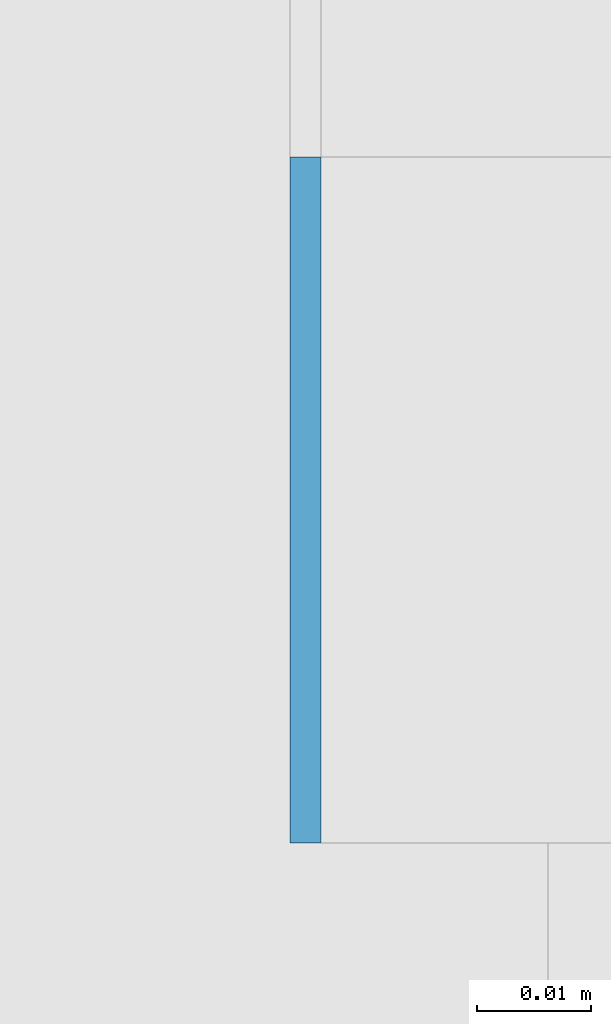
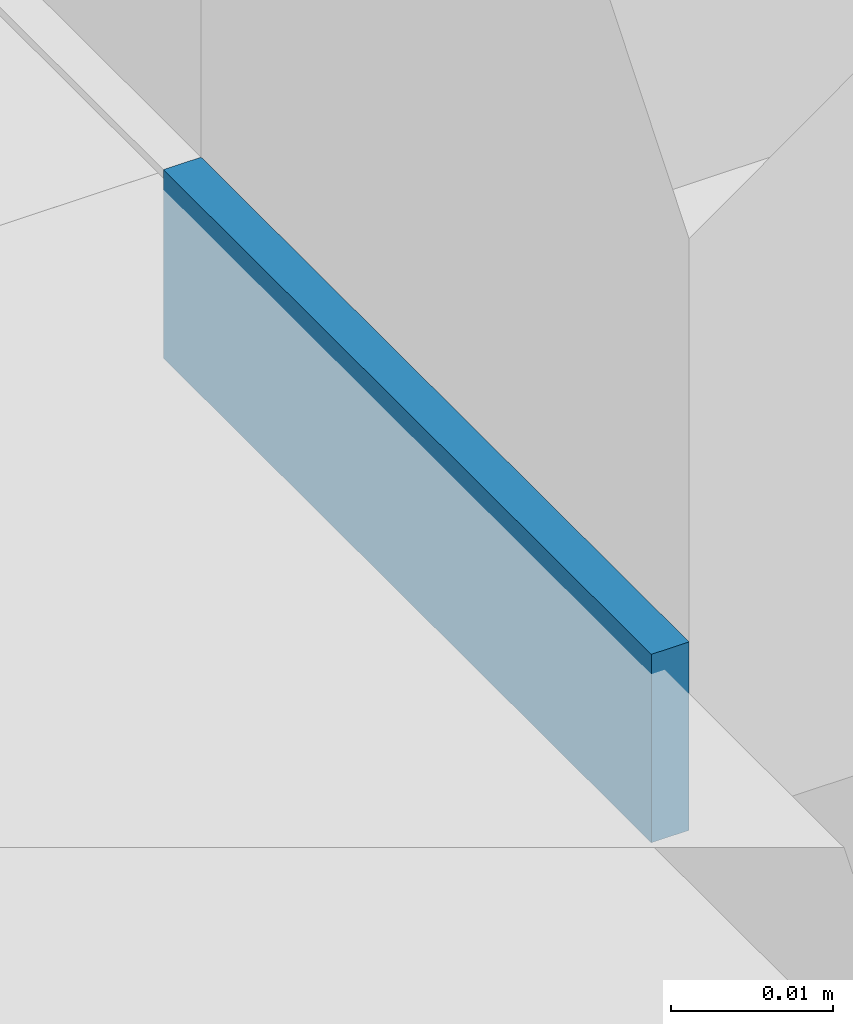
# One storey, part 572 of 646: 1 discrete accessory.
"""IFC4 building model written with IfcOpenShell, lengths in metres."""

from ifc_helpers import new_model, si_unit, direction, frame, origin, origin_2d, place, context, subcontext, project, spatial, rectangle, extrude, material, type_object, element, save


model = new_model("IFC4")

# Units and contexts
model_context = context("Model", 3, precision=1e-05, world=origin(), true_north=direction((0.0, 1.0)))
body_context = subcontext(model_context, "Body", "Model", "MODEL_VIEW")
ifc_project = project(units=[si_unit("LENGTHUNIT", "METRE"), si_unit("AREAUNIT", "SQUARE_METRE"), si_unit("VOLUMEUNIT", "CUBIC_METRE"), si_unit("PLANEANGLEUNIT", "RADIAN"), si_unit("MASSUNIT", "GRAM", prefix="KILO")], contexts=[model_context])

# Site, building, storey
site_placement = place(None, origin())
site = spatial("IfcSite", under=ifc_project, at=site_placement, CompositionType="ELEMENT")
building_placement = place(site_placement, origin())
building = spatial("IfcBuilding", under=site, at=building_placement, Name="Silverbay Arena", CompositionType="ELEMENT")
storey_placement = place(building_placement, frame((0.0, 0.0, 33.5)))
storey = spatial("IfcBuildingStorey", under=building, at=storey_placement, Name="L05", CompositionType="ELEMENT", Elevation=33.5)

# Discrete accessory
ifc_material = material(Name="Steel S355", Category="steel")
discrete_accessory_type = type_object("IfcDiscreteAccessoryType", Name="Steel bracket plate", PredefinedType="BRACKET", material=ifc_material)
discrete_accessory_placement = place(storey_placement, frame((207.128662109375, 107.969970703125, 4.0), z_axis=(0.0, 0.0, 1.0), x_axis=(1.0, 0.0, 0.0)))
element("IfcDiscreteAccessory", 1, at=discrete_accessory_placement, inside=storey, type_object=discrete_accessory_type, Name="Curtain wall packing plate", PredefinedType="BRACKET", context=body_context, shape_type="SweptSolid", body=[
    extrude(rectangle(XDim=0.002685546875, YDim=0.06005859375, at=origin_2d()), origin(), (0.0, 0.0, 1.0), 0.01416015625),
])

save(model, "model.ifc")
